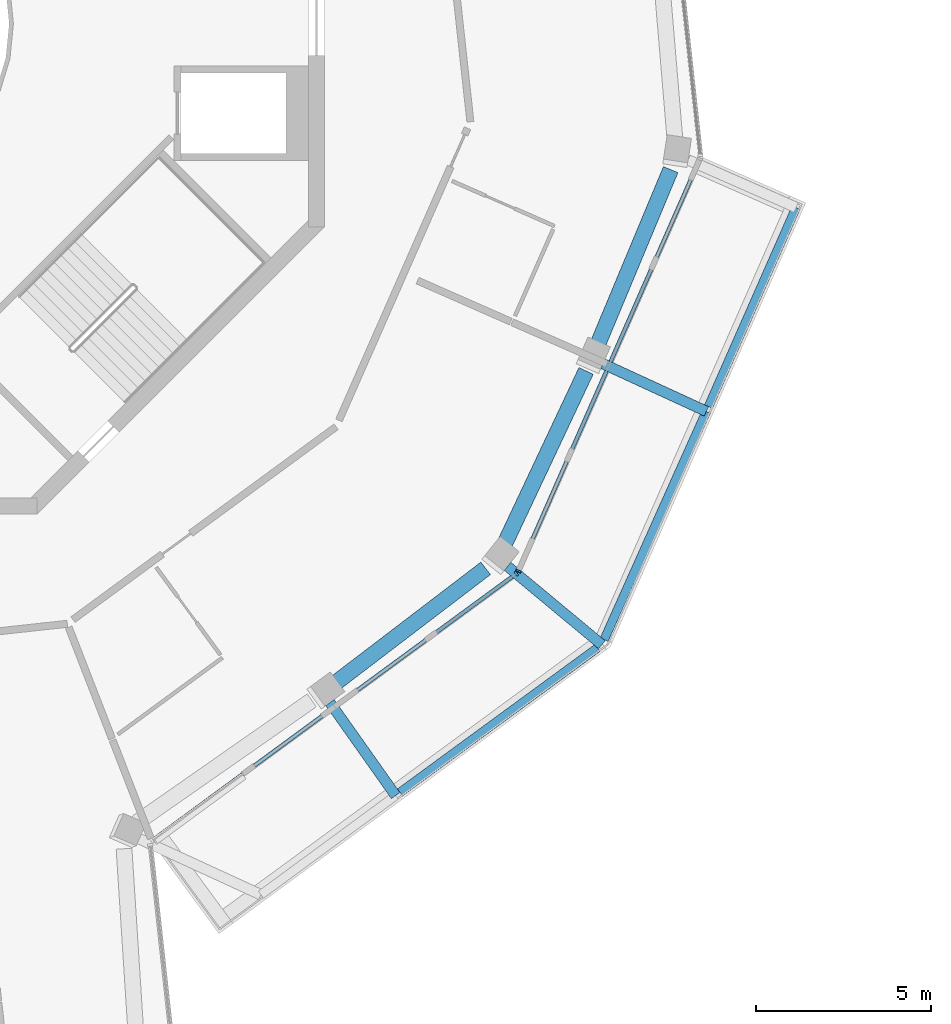
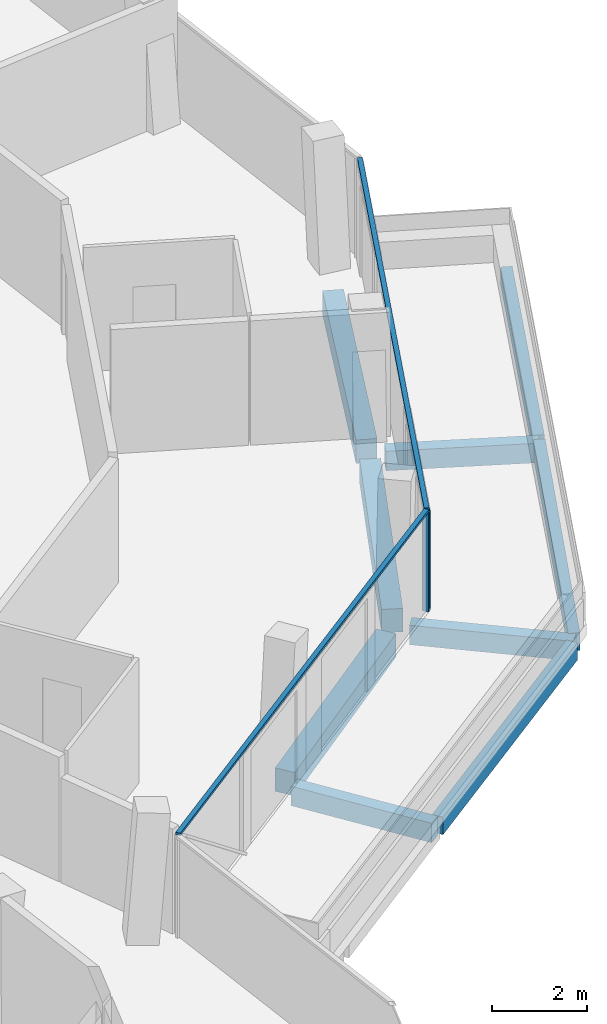
# One storey, part 4 of 24: 9 beams, 4 members, 2 elements without a shape of their own.
"""IFC4 building model written with IfcOpenShell, lengths in metres."""

from ifc_helpers import new_model, si_unit, direction, frame, origin, origin_2d, place, context, subcontext, project, spatial, rectangle, extrude, material, layer, layer_set, material_profile, profile_set, type_object, element, aggregate, save


model = new_model("IFC4")

# Units and contexts
model_context = context("Model", 3, precision=1e-05, world=origin(), true_north=direction((0.0, 1.0)))
body_context = subcontext(model_context, "Body", "Model", "MODEL_VIEW")
ifc_project = project(units=[si_unit("LENGTHUNIT", "METRE"), si_unit("AREAUNIT", "SQUARE_METRE"), si_unit("VOLUMEUNIT", "CUBIC_METRE"), si_unit("PLANEANGLEUNIT", "RADIAN"), si_unit("MASSUNIT", "GRAM", prefix="KILO")], contexts=[model_context])

# Site, building, storey
site_placement = place(None, origin())
site = spatial("IfcSite", under=ifc_project, at=site_placement, CompositionType="ELEMENT")
building_placement = place(site_placement, origin())
building = spatial("IfcBuilding", under=site, at=building_placement, Name="Verdalira Terraces Hotel", CompositionType="ELEMENT")
storey_placement = place(building_placement, frame((0.0, 0.0, 303.0)))
storey = spatial("IfcBuildingStorey", under=building, at=storey_placement, Name="L75", CompositionType="ELEMENT", Elevation=303.0)

# Beams
ifc_material_1 = material(Name="Concrete C40", Category="concrete")
ifc_material_profile_1 = material_profile(ifc_material_1, rectangle(XDim=0.300049, YDim=0.5, at=origin_2d()), Name="RC 300X500")
ifc_profile_set_1 = profile_set([ifc_material_profile_1], Name="Concrete C40")
beam_type_1 = type_object("IfcBeamType", Name="Balcony cantilever beam RC 300X500 C40", PredefinedType="BEAM", material=ifc_profile_set_1)
beam_1_placement = place(storey_placement, frame((14.159668, -19.387695, -0.560059), z_axis=(0.577588023, -0.816328411, 0.0), x_axis=(0.816328411, 0.577588023, 0.0)))
element("IfcBeam", 1, at=beam_1_placement, inside=storey, type_object=beam_type_1, Name="Balcony cantilever beam R25-2", PredefinedType="BEAM", context=body_context, shape_type="SweptSolid", body=[
    extrude(rectangle(XDim=0.300049, YDim=0.5, at=origin_2d()), origin(), (0.0, 0.0, 1.0), 3.250977),
])
beam_2_placement = place(storey_placement, frame((19.232422, -15.494873, -0.560059), z_axis=(0.769123414, -0.639100284, 0.0), x_axis=(0.639100284, 0.769123414, 0.0)))
element("IfcBeam", 2, at=beam_2_placement, inside=storey, type_object=beam_type_1, Name="Balcony cantilever beam R25-3", PredefinedType="BEAM", context=body_context, shape_type="SweptSolid", body=[
    extrude(rectangle(XDim=0.300049, YDim=0.5, at=origin_2d()), origin(), (0.0, 0.0, 1.0), 3.501953),
])
beam_3_placement = place(storey_placement, frame((21.956543, -9.710449, -0.560059), z_axis=(0.908367804, -0.418172132, 0.0), x_axis=(0.418172132, 0.908367804, 0.0)))
element("IfcBeam", 3, at=beam_3_placement, inside=storey, type_object=beam_type_1, Name="Balcony cantilever beam R25-4", PredefinedType="BEAM", context=body_context, shape_type="SweptSolid", body=[
    extrude(rectangle(XDim=0.300049, YDim=0.5, at=origin_2d()), origin(), (0.0, 0.0, 1.0), 3.250732),
])
ifc_material_2 = material(Name="Concrete C40", Category="concrete")
ifc_material_profile_2 = material_profile(ifc_material_2, rectangle(XDim=0.25, YDim=0.449951, at=origin_2d()), Name="RC 250X450")
ifc_profile_set_2 = profile_set([ifc_material_profile_2], Name="Concrete C40")
beam_type_2 = type_object("IfcBeamType", Name="Balcony edge beam RC 250X450 C40", PredefinedType="BEAM", material=ifc_profile_set_2)
beam_4_placement = place(storey_placement, frame((16.158447, -21.952881, -0.534912), z_axis=(0.807033978, 0.590505002, 0.0), x_axis=(-0.590505002, 0.807033978, 0.0)))
element("IfcBeam", 4, at=beam_4_placement, inside=storey, type_object=beam_type_2, Name="Balcony edge beam R25-2", PredefinedType="BEAM", context=body_context, shape_type="SweptSolid", body=[
    extrude(rectangle(XDim=0.25, YDim=0.449951, at=origin_2d()), origin(), (0.0, 0.0, 1.0), 6.991699),
])
beam_5_placement = place(storey_placement, frame((21.989502, -17.59082, -0.534912), z_axis=(0.408673232, 0.912680771, 0.0), x_axis=(-0.912680771, 0.408673232, 0.0)))
element("IfcBeam", 5, at=beam_5_placement, inside=storey, type_object=beam_type_2, Name="Balcony edge beam R25-3", PredefinedType="BEAM", context=body_context, shape_type="SweptSolid", body=[
    extrude(rectangle(XDim=0.25, YDim=0.449951, at=origin_2d()), origin(), (0.0, 0.0, 1.0), 7.144775),
])
beam_6_placement = place(storey_placement, frame((24.969971, -10.932617, -0.534912), z_axis=(0.402912458, 0.915238521, 0.0), x_axis=(-0.915238521, 0.402912458, 0.0)))
element("IfcBeam", 6, at=beam_6_placement, inside=storey, type_object=beam_type_2, Name="Balcony edge beam R25-4", PredefinedType="BEAM", context=body_context, shape_type="SweptSolid", body=[
    extrude(rectangle(XDim=0.25, YDim=0.449951, at=origin_2d()), origin(), (0.0, 0.0, 1.0), 6.212158),
])

# Curtain wall, member
ifc_material_3 = material(Name="Clear glass", Category="glass")
ifc_layer = layer(ifc_material_3, 0.14990234375)
ifc_layer_set = layer_set([ifc_layer], Name="CW1 curtain wall")
curtain_wall_type = type_object("IfcCurtainWallType", Name="CW1 curtain wall", PredefinedType="NOTDEFINED", material=ifc_layer_set)
curtain_wall_1_placement = place(storey_placement, origin())
curtain_wall_1 = element("IfcCurtainWall", 7, at=curtain_wall_1_placement, inside=storey, type_object=curtain_wall_type, Name="CW1 curtain wall L75 edge 25", PredefinedType="NOTDEFINED")
ifc_material_4 = material(Name="Terracotta frame", Category="masonry")
ifc_material_profile_3 = material_profile(ifc_material_4, rectangle(XDim=0.060059, YDim=0.149902, at=origin_2d()), Name="MU 60x150")
ifc_profile_set_3 = profile_set([ifc_material_profile_3], Name="Terracotta frame")
member_type_1 = type_object("IfcMemberType", Name="CW1 mullion 60x150", PredefinedType="MULLION", material=ifc_profile_set_3)
member_1_placement = place(storey_placement, frame((19.482422, -15.703857, 0.0), z_axis=(0.0, 0.0, 1.0), x_axis=(0.806547795, 0.591168888, 0.0)))
member_1 = element("IfcMember", 8, at=member_1_placement, type_object=member_type_1, Name="CW1 mullion", PredefinedType="MULLION", context=body_context, shape_type="SweptSolid", body=[
    extrude(rectangle(XDim=0.060059, YDim=0.149902, at=origin_2d()), origin(), (0.0, 0.0, 1.0), 2.524902),
])

curtain_wall_2_placement = place(storey_placement, origin())
curtain_wall_2 = element("IfcCurtainWall", 9, at=curtain_wall_2_placement, inside=storey, type_object=curtain_wall_type, Name="CW1 curtain wall L75 edge 26", PredefinedType="NOTDEFINED")
member_2_placement = place(storey_placement, frame((19.542969, -15.628418, 0.0), z_axis=(0.0, 0.0, 1.0), x_axis=(0.402906436, 0.915241173, 0.0)))
member_2 = element("IfcMember", 10, at=member_2_placement, type_object=member_type_1, Name="CW1 mullion", PredefinedType="MULLION", context=body_context, shape_type="SweptSolid", body=[
    extrude(rectangle(XDim=0.060059, YDim=0.149902, at=origin_2d()), origin(), (0.0, 0.0, 1.0), 2.524902),
])

# Member
ifc_material_5 = material(Name="Terracotta frame", Category="masonry")
ifc_material_profile_4 = material_profile(ifc_material_5, rectangle(XDim=0.110107, YDim=0.064941, at=origin_2d()), Name="TR 65x110")
ifc_profile_set_4 = profile_set([ifc_material_profile_4], Name="Terracotta frame")
member_type_2 = type_object("IfcMemberType", Name="CW1 transom 65x110", PredefinedType="USERDEFINED", material=ifc_profile_set_4)
member_3_placement = place(storey_placement, frame((9.053955, -23.347656, 2.557617), z_axis=(0.806548112, 0.591168456, 0.0), x_axis=(-0.591168456, 0.806548112, 0.0)))
member_3 = element("IfcMember", 11, at=member_3_placement, type_object=member_type_2, Name="CW1 transom", ObjectType="TRANSOM", PredefinedType="USERDEFINED", context=body_context, shape_type="SweptSolid", body=[
    extrude(rectangle(XDim=0.110107, YDim=0.064941, at=origin_2d()), origin(), (0.0, 0.0, 1.0), 12.959717),
])

aggregate(curtain_wall_1, [member_1, member_3])

member_4_placement = place(storey_placement, frame((19.530762, -15.656006, 2.557617), z_axis=(0.402913388, 0.915238112, 0.0), x_axis=(-0.915238112, 0.402913388, 0.0)))
member_4 = element("IfcMember", 12, at=member_4_placement, type_object=member_type_2, Name="CW1 transom", ObjectType="TRANSOM", PredefinedType="USERDEFINED", context=body_context, shape_type="SweptSolid", body=[
    extrude(rectangle(XDim=0.110107, YDim=0.064941, at=origin_2d()), origin(), (0.0, 0.0, 1.0), 12.919922),
])

aggregate(curtain_wall_2, [member_2, member_4])

# Beams
ifc_material_6 = material(Name="Concrete C40", Category="concrete")
ifc_material_profile_5 = material_profile(ifc_material_6, rectangle(XDim=0.449951, YDim=0.600098, at=origin_2d()), Name="RC 450X600")
ifc_profile_set_5 = profile_set([ifc_material_profile_5], Name="Concrete C40")
beam_type_3 = type_object("IfcBeamType", Name="Spandrel beam RC 450X600 C40", PredefinedType="SPANDREL", material=ifc_profile_set_5)
beam_7_placement = place(storey_placement, frame((14.218018, -18.9021, -0.610107), z_axis=(0.794989966, 0.606622579, 0.0), x_axis=(-0.606622579, 0.794989966, 0.0)))
element("IfcBeam", 13, at=beam_7_placement, inside=storey, type_object=beam_type_3, Name="Spandrel beam B14", PredefinedType="SPANDREL", context=body_context, shape_type="SweptSolid", body=[
    extrude(rectangle(XDim=0.449951, YDim=0.600098, at=origin_2d()), origin(), (0.0, 0.0, 1.0), 5.52124),
])
beam_8_placement = place(storey_placement, frame((19.122559, -14.912354, -0.610107), z_axis=(0.425765108, 0.904833727, 0.0), x_axis=(-0.904833727, 0.425765108, 0.0)))
element("IfcBeam", 14, at=beam_8_placement, inside=storey, type_object=beam_type_3, Name="Spandrel beam B15", PredefinedType="SPANDREL", context=body_context, shape_type="SweptSolid", body=[
    extrude(rectangle(XDim=0.449951, YDim=0.600098, at=origin_2d()), origin(), (0.0, 0.0, 1.0), 5.523682),
])
beam_9_placement = place(storey_placement, frame((21.764404, -9.260742, -0.610107), z_axis=(0.385171032, 0.922845207, 0.0), x_axis=(-0.922845207, 0.385171032, 0.0)))
element("IfcBeam", 15, at=beam_9_placement, inside=storey, type_object=beam_type_3, Name="Spandrel beam B16", PredefinedType="SPANDREL", context=body_context, shape_type="SweptSolid", body=[
    extrude(rectangle(XDim=0.449951, YDim=0.600098, at=origin_2d()), origin(), (0.0, 0.0, 1.0), 5.521484),
])

save(model, "model.ifc")
